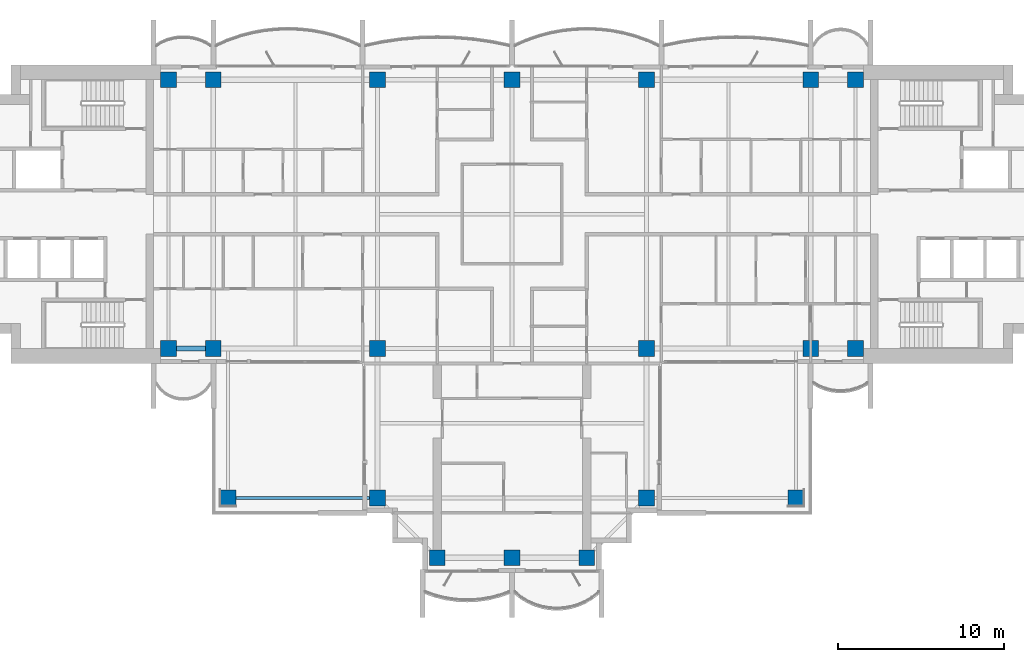
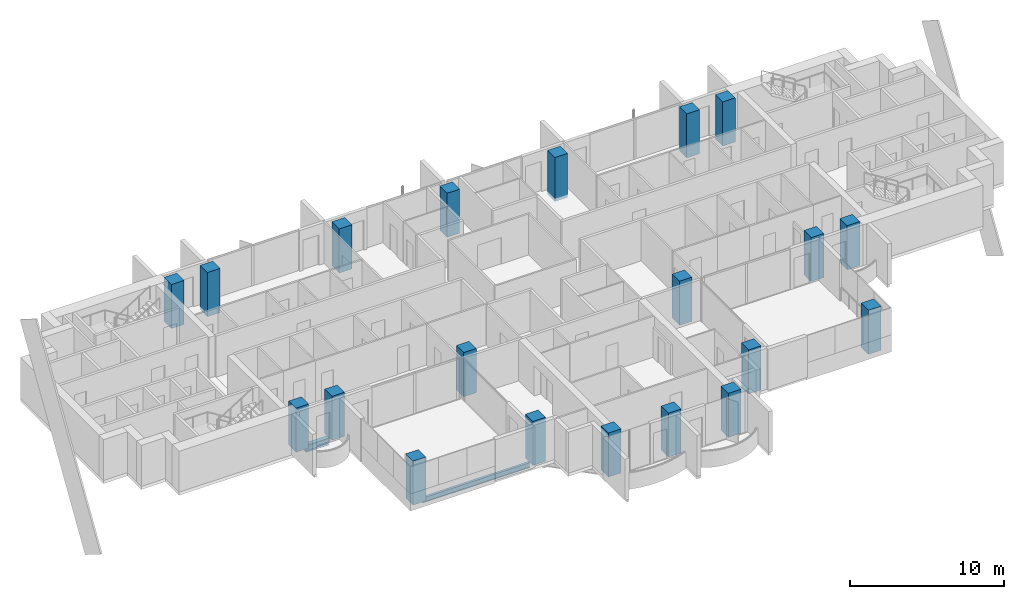
# One storey, part 1 of 18: 20 columns, 2 beams.
"""IFC4 building model written with IfcOpenShell, lengths in metres."""

from ifc_helpers import new_model, si_unit, direction, frame, origin, origin_2d, place, context, subcontext, project, spatial, rectangle, i_section, extrude, material, material_profile, profile_set, type_object, element, save


model = new_model("IFC4")

# Units and contexts
model_context = context("Model", 3, precision=1e-05, world=origin(), true_north=direction((0.0, 1.0)))
body_context = subcontext(model_context, "Body", "Model", "MODEL_VIEW")
ifc_project = project(units=[si_unit("LENGTHUNIT", "METRE"), si_unit("AREAUNIT", "SQUARE_METRE"), si_unit("VOLUMEUNIT", "CUBIC_METRE"), si_unit("PLANEANGLEUNIT", "RADIAN"), si_unit("MASSUNIT", "GRAM", prefix="KILO")], contexts=[model_context])

# Site, building, storey
site_placement = place(None, origin())
site = spatial("IfcSite", under=ifc_project, at=site_placement, CompositionType="ELEMENT")
building_placement = place(site_placement, origin())
building = spatial("IfcBuilding", under=site, at=building_placement, Name="Perihelion Cross Residences", CompositionType="ELEMENT")
storey_placement = place(building_placement, frame((0.0, 0.0, 215.60009765625)))
storey = spatial("IfcBuildingStorey", under=building, at=storey_placement, Name="L54", CompositionType="ELEMENT", Elevation=215.60009765625)

# Columns
ifc_material_1 = material(Name="Concrete C60/75", Category="concrete")
ifc_material_profile_1 = material_profile(ifc_material_1, rectangle(XDim=0.949951171875, YDim=0.949951171875, at=origin_2d()), Name="RC 950x950")
ifc_profile_set_1 = profile_set([ifc_material_profile_1], Name="Concrete C60/75")
column_type = type_object("IfcColumnType", Name="Reinforced concrete column 950x950 C60/75", PredefinedType="COLUMN", material=ifc_profile_set_1)
for number, where, z_axis, x_axis, name in (
    (1, (-20.699951171875, -8.10009765625, -0.25), (0.0, 0.0, 1.0), (1.0, 0.0, 0.0), "Column C017 L54 no. 1"),
    (2, (-20.699951171875, 8.10009765625, -0.25), (0.0, 0.0, 1.0), (1.0, 0.0, 0.0), "Column C010 L54 no. 1"),
    (3, (-18.0, -8.10009765625, -0.25), (0.0, 0.0, 1.0), (1.0, 0.0, 0.0), "Column C018 L54 no. 1"),
    (4, (-18.0, 8.10009765625, -0.25), (0.0, 0.0, 1.0), (1.0, 0.0, 0.0), "Column C011 L54 no. 1"),
    (5, (-8.10009765625, -17.10009765625, -0.25), (0.0, 0.0, 1.0), (1.0, 0.0, 0.0), "Column C031 L54 no. 1"),
    (6, (-8.10009765625, -8.10009765625, -0.25), (0.0, 0.0, 1.0), (1.0, 0.0, 0.0), "Column C019 L54 no. 1"),
    (7, (-8.10009765625, 8.10009765625, -0.25), (0.0, 0.0, 1.0), (1.0, 0.0, 0.0), "Column C012 L54 no. 1"),
    (8, (-4.5, -20.699951171875, -0.25), (0.0, 0.0, 1.0), (1.0, 0.0, 0.0), "Column C037 L54 no. 1"),
    (9, (0.0, -20.699951171875, -0.25), (0.0, 0.0, 1.0), (1.0, 0.0, 0.0), "Column C038 L54 no. 1"),
    (10, (0.0, 8.10009765625, -0.25), (0.0, 0.0, 1.0), (1.0, 0.0, 0.0), "Column C013 L54 no. 1"),
    (11, (4.5, -20.699951171875, -0.25), (0.0, 0.0, 1.0), (1.0, 0.0, 0.0), "Column C039 L54 no. 1"),
    (12, (8.10009765625, -17.10009765625, -0.25), (0.0, 0.0, 1.0), (1.0, 0.0, 0.0), "Column C035 L54 no. 1"),
    (13, (8.10009765625, -8.10009765625, -0.25), (0.0, 0.0, 1.0), (1.0, 0.0, 0.0), "Column C020 L54 no. 1"),
    (14, (8.10009765625, 8.10009765625, -0.25), (0.0, 0.0, 1.0), (1.0, 0.0, 0.0), "Column C014 L54 no. 1"),
    (15, (18.0, -8.10009765625, -0.25), (0.0, 0.0, 1.0), (1.0, 0.0, 0.0), "Column C021 L54 no. 1"),
    (16, (18.0, 8.10009765625, -0.25), (0.0, 0.0, 1.0), (1.0, 0.0, 0.0), "Column C015 L54 no. 1"),
    (17, (20.699951171875, -8.10009765625, -0.25), (0.0, 0.0, 1.0), (1.0, 0.0, 0.0), "Column C022 L54 no. 1"),
    (18, (20.699951171875, 8.10009765625, -0.25), (0.0, 0.0, 1.0), (1.0, 0.0, 0.0), "Column C016 L54 no. 1"),
    (19, (-17.10009765625, -17.10009765625, -0.25), (0.0, 0.0, 1.0), (1.0, 0.0, 0.0), "Column C030 L54 no. 1"),
    (20, (17.10009765625, -17.10009765625, -0.25), (0.0, 0.0, 1.0), (1.0, 0.0, 0.0), "Column C036 L54 no. 1"),
):
    element("IfcColumn", number, at=place(storey_placement, frame(where, z_axis=z_axis, x_axis=x_axis)), inside=storey, type_object=column_type, Name=name, PredefinedType="COLUMN", context=body_context, shape_type="SweptSolid", body=[
        extrude(rectangle(XDim=0.949951171875, YDim=0.949951171875, at=origin_2d()), origin(), (0.0, 0.0, 1.0), 3.5),
    ])

# Beams
ifc_material_2 = material(Name="Steel S355", Category="steel")
ifc_material_profile_2 = material_profile(ifc_material_2, i_section(OverallWidth=0.177978515625, OverallDepth=0.406005859375, WebThickness=0.0078125, FlangeThickness=0.0126953125, at=origin_2d()), Name="W410x60")
ifc_profile_set_2 = profile_set([ifc_material_profile_2], Name="Steel S355")
beam_type_1 = type_object("IfcBeamType", Name="Core edge beam W410x60", PredefinedType="BEAM", material=ifc_profile_set_2)
beam_1_placement = place(storey_placement, frame((-8.574951171875, -17.10009765625, -0.453125), z_axis=(-1.0, 0.0, 0.0), x_axis=(0.0, -1.0, 0.0)))
element("IfcBeam", 21, at=beam_1_placement, inside=storey, type_object=beam_type_1, Name="Core edge beam TB2 L54 corner no. 2", PredefinedType="BEAM", context=body_context, shape_type="SweptSolid", body=[
    extrude(i_section(OverallWidth=0.177978515625, OverallDepth=0.406005859375, WebThickness=0.0078125, FlangeThickness=0.0126953125, at=origin_2d()), origin(), (0.0, 0.0, 1.0), 8.050048828125),
])
ifc_material_3 = material(Name="Steel S355", Category="steel")
ifc_material_profile_3 = material_profile(ifc_material_3, i_section(OverallWidth=0.31201171875, OverallDepth=0.5439453125, WebThickness=0.0126953125, FlangeThickness=0.020263671875, at=origin_2d()), Name="W530x150")
ifc_profile_set_3 = profile_set([ifc_material_profile_3], Name="Steel S355")
beam_type_2 = type_object("IfcBeamType", Name="Edge beam W530x150", PredefinedType="SPANDREL", material=ifc_profile_set_3)
beam_2_placement = place(storey_placement, frame((-20.22509765625, -8.10009765625, -0.522216796875), z_axis=(1.0, 0.0, 0.0), x_axis=(0.0, 1.0, 0.0)))
element("IfcBeam", 22, at=beam_2_placement, inside=storey, type_object=beam_type_2, Name="Edge beam SB4 L54 no. 3", PredefinedType="SPANDREL", context=body_context, shape_type="SweptSolid", body=[
    extrude(i_section(OverallWidth=0.31201171875, OverallDepth=0.5439453125, WebThickness=0.0126953125, FlangeThickness=0.020263671875, at=origin_2d()), origin(), (0.0, 0.0, 1.0), 1.75),
])

save(model, "model.ifc")
